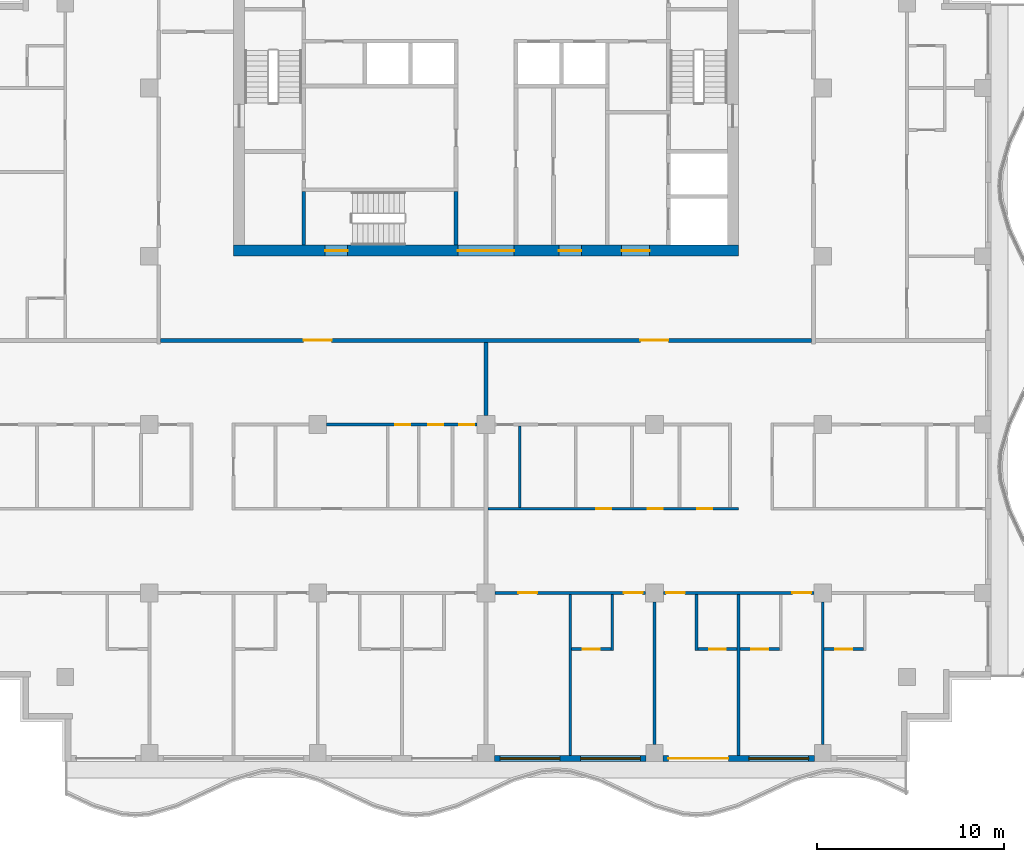
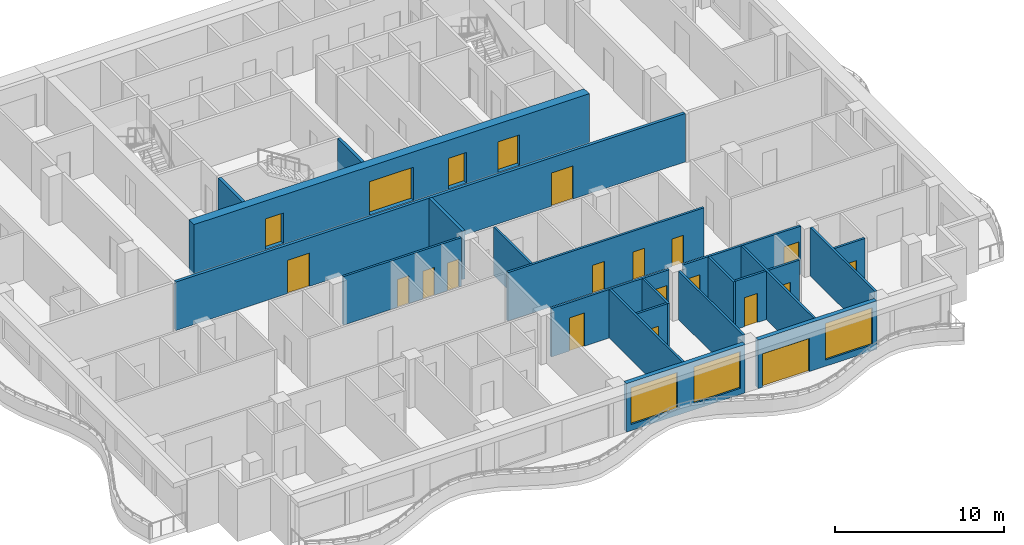
# One storey, part 3 of 11: 22 walls, 21 doors, 3 windows, 24 openings.
"""IFC4 building model written with IfcOpenShell, lengths in metres."""

import ifcopenshell
import ifcopenshell.guid

model = None  # the IFC model being written
_history = None  # IfcOwnerHistory: only IFC2X3 demands one
_inside = {}  # id of a spatial element -> (the spatial element, [elements in it])
_under = {}  # id of a project, library or spatial element -> (it, [spatial elements below it])
_declared = {}  # id of a project -> (the project, [libraries it declares])
_typed = {}  # id of a type object -> (the type object, [elements of that type])
_made_of = {}  # id of a material, layer set ... -> (it, [elements and type objects made of it])


def new_model(schema):
    """Start an empty IFC model of exactly this schema.

    Asked for "IFC4X3", IfcOpenShell would pick the latest addendum, in which some entities
    have other attributes; the version numbers below select the first issue.
    IFC2X3 requires an IfcOwnerHistory on every rooted entity: one is made here for all.
    """
    global model, _history
    if schema == "IFC4X3":
        model = ifcopenshell.file(schema_version=(4, 3, 0, 0))
    else:
        model = ifcopenshell.file(schema=schema)
    _inside.clear()
    _under.clear()
    _declared.clear()
    _typed.clear()
    _made_of.clear()
    _history = None
    if model.schema == "IFC2X3":
        org = make("IfcOrganization", Name="unknown")
        user = make(
            "IfcPersonAndOrganization",
            ThePerson=make("IfcPerson", FamilyName="unknown"),
            TheOrganization=org,
        )
        app = make(
            "IfcApplication",
            ApplicationDeveloper=org,
            Version="unknown",
            ApplicationFullName="unknown",
            ApplicationIdentifier="unknown",
        )
        _history = make(
            "IfcOwnerHistory",
            OwningUser=user,
            OwningApplication=app,
            ChangeAction="ADDED",
            CreationDate=0,
        )
    return model


def make(cls, **values):
    """One entity of the class cls with the attributes given. An attribute that is None is left unset."""
    return model.create_entity(
        cls, **{name: value for name, value in values.items() if value is not None}
    )


def rooted(cls, **values):
    """An entity with a GlobalId (a new one), such as an element, a storey or a relation."""
    return make(cls, GlobalId=ifcopenshell.guid.new(), OwnerHistory=_history, **values)


def si_unit(unit_type, name, prefix=None):
    """IfcSIUnit, for example si_unit("LENGTHUNIT", "METRE", prefix="MILLI")."""
    return make("IfcSIUnit", UnitType=unit_type, Prefix=prefix, Name=name)


def assignment(units):
    """IfcUnitAssignment: the units of a project."""
    return None if units is None else make("IfcUnitAssignment", Units=units)


def point(xyz):
    """IfcCartesianPoint."""
    return None if xyz is None else make("IfcCartesianPoint", Coordinates=xyz)


def direction(xyz):
    """IfcDirection."""
    return None if xyz is None else make("IfcDirection", DirectionRatios=xyz)


def frame(location, z_axis=None, x_axis=None):
    """IfcAxis2Placement3D, a coordinate frame: its origin and axes. An axis left out is left unset."""
    return make(
        "IfcAxis2Placement3D",
        Location=point(location),
        Axis=direction(z_axis),
        RefDirection=direction(x_axis),
    )


def frame_2d(location, x_axis=None):
    """IfcAxis2Placement2D, a coordinate frame in the plane: its origin and x axis."""
    return make(
        "IfcAxis2Placement2D", Location=point(location), RefDirection=direction(x_axis)
    )


def origin():
    """The frame at (0, 0, 0) with its axes left unset."""
    return frame((0.0, 0.0, 0.0))


def place(relative_to, where):
    """IfcLocalPlacement: puts the frame where relative to a parent placement (None: the world)."""
    return make(
        "IfcLocalPlacement", PlacementRelTo=relative_to, RelativePlacement=where
    )


def context(
    kind, dimensions, precision=None, world=None, true_north=None, identifier=None
):
    """IfcGeometricRepresentationContext, for example the 3D "Model" context."""
    return make(
        "IfcGeometricRepresentationContext",
        ContextIdentifier=identifier,
        ContextType=kind,
        CoordinateSpaceDimension=dimensions,
        Precision=precision,
        WorldCoordinateSystem=world,
        TrueNorth=true_north,
    )


def subcontext(parent, identifier, kind, view, scale=None):
    """IfcGeometricRepresentationSubContext, for example "Body" below "Model"."""
    return make(
        "IfcGeometricRepresentationSubContext",
        ContextIdentifier=identifier,
        ContextType=kind,
        ParentContext=parent,
        TargetScale=scale,
        TargetView=view,
    )


def project(units=None, contexts=None):
    """IfcProject with its units and contexts."""
    return rooted(
        "IfcProject",
        Name="project",
        RepresentationContexts=contexts,
        UnitsInContext=assignment(units),
    )


def spatial(cls, under=None, at=None, **own):
    """A site, building, storey or space (cls), placed at a placement, below another one or the project."""
    s = rooted(cls, ObjectPlacement=at, **own)
    if under is not None:
        _under.setdefault(under.id(), (under, []))[1].append(s)
    return s


def profile(cls, at=None, kind="AREA", **sizes):
    """A parametric profile (cls). Its sizes go by their IFC names, for example OverallWidth=200.0."""
    return make(cls, ProfileType=kind, Position=at, **sizes)


def rectangle(**sizes):
    """IfcRectangleProfileDef."""
    return profile("IfcRectangleProfileDef", **sizes)


def extrude(swept, where, along, depth):
    """IfcExtrudedAreaSolid: the profile swept, set in the frame where, extruded along a direction by depth."""
    return make(
        "IfcExtrudedAreaSolid",
        SweptArea=swept,
        Position=where,
        ExtrudedDirection=direction(along),
        Depth=depth,
    )


def shape(context_of_items, identifier, shape_type, items):
    """IfcShapeRepresentation: the items that make up one representation, for example the "Body"."""
    return make(
        "IfcShapeRepresentation",
        ContextOfItems=context_of_items,
        RepresentationIdentifier=identifier,
        RepresentationType=shape_type,
        Items=items,
    )


def material(Name=None, Category=None):
    """IfcMaterial."""
    return make("IfcMaterial", Name=Name, Category=Category)


def layer(
    of_material, thickness, ventilated=None, Name=None, Category=None, Priority=None
):
    """IfcMaterialLayer: one layer of a wall or slab, of a material (None: an air gap)."""
    return make(
        "IfcMaterialLayer",
        Material=of_material,
        LayerThickness=thickness,
        IsVentilated=ventilated,
        Name=Name,
        Category=Category,
        Priority=Priority,
    )


def layer_set(layers, Name=None):
    """IfcMaterialLayerSet."""
    return make("IfcMaterialLayerSet", MaterialLayers=layers, LayerSetName=Name)


def made_of(thing, what):
    """Note that an element or type object is made of a material, layer set ...; save() writes the relation."""
    if what is not None:
        _made_of.setdefault(what.id(), (what, []))[1].append(thing)
    return thing


def type_object(cls, material=None, **own):
    """A type object (cls), such as IfcWallType, which elements share."""
    return made_of(rooted(cls, **own), material)


def element(
    cls,
    number,
    at=None,
    inside=None,
    cuts=None,
    type_object=None,
    material=None,
    context=None,
    identifier="Body",
    shape_type=None,
    held_by="IfcProductDefinitionShape",
    body=None,
    shapes=None,
    **own,
):
    """One element of the class cls, such as IfcWall. Its Tag is "e" and its number.

    at: its placement. inside: the storey or other place that contains it. cuts: it is an
    opening in that element (IfcRelVoidsElement). A single representation is given by context,
    identifier, shape_type and body (its items); several are given by shapes. held_by: the class
    of the entity that holds the representations. save() writes the other relations.
    """
    e = rooted(cls, Tag="e%d" % number, ObjectPlacement=at, **own)
    if body is not None:
        shapes = [shape(context, identifier, shape_type, body)]
    if shapes is not None:
        e.Representation = make(held_by, Representations=shapes)
    if inside is not None:
        _inside.setdefault(inside.id(), (inside, []))[1].append(e)
    if cuts is not None:
        rooted(
            "IfcRelVoidsElement", RelatingBuildingElement=cuts, RelatedOpeningElement=e
        )
    if type_object is not None:
        _typed.setdefault(type_object.id(), (type_object, []))[1].append(e)
    return made_of(e, material)


def fill(opening, filler):
    """IfcRelFillsElement: the door or window that sits in an opening."""
    return rooted(
        "IfcRelFillsElement",
        RelatingOpeningElement=opening,
        RelatedBuildingElement=filler,
    )


def aggregate(whole, parts):
    """IfcRelAggregates: a whole, such as a stair, and the parts it consists of."""
    return rooted("IfcRelAggregates", RelatingObject=whole, RelatedObjects=parts)


def save(model, path):
    """Write the relations noted so far, then the file.

    IfcRelAggregates (storeys below a building ...), IfcRelContainedInSpatialStructure (elements
    in a storey), IfcRelDefinesByType, IfcRelAssociatesMaterial and IfcRelDeclares: one each for
    every whole, place, type object, material and project.
    """
    for whole, parts in _under.values():
        aggregate(whole, parts)
    for where, things in _inside.values():
        rooted(
            "IfcRelContainedInSpatialStructure",
            RelatedElements=things,
            RelatingStructure=where,
        )
    for kind, things in _typed.values():
        rooted("IfcRelDefinesByType", RelatedObjects=things, RelatingType=kind)
    for what, things in _made_of.values():
        rooted("IfcRelAssociatesMaterial", RelatedObjects=things, RelatingMaterial=what)
    for by, libraries in _declared.values():
        rooted("IfcRelDeclares", RelatingContext=by, RelatedDefinitions=libraries)
    model.write(path)


model = new_model("IFC4")

# Units and contexts
model_context = context("Model", 3, precision=1e-05, world=origin(), true_north=direction((0.0, 1.0)))
body_context = subcontext(model_context, "Body", "Model", "MODEL_VIEW")
ifc_project = project(units=[si_unit("LENGTHUNIT", "METRE"), si_unit("AREAUNIT", "SQUARE_METRE"), si_unit("VOLUMEUNIT", "CUBIC_METRE"), si_unit("PLANEANGLEUNIT", "RADIAN"), si_unit("MASSUNIT", "GRAM", prefix="KILO")], contexts=[model_context])

# Site, building, storey
site_placement = place(None, origin())
site = spatial("IfcSite", under=ifc_project, at=site_placement, CompositionType="ELEMENT")
building_placement = place(site_placement, origin())
building = spatial("IfcBuilding", under=site, at=building_placement, Name="Orbiselva Terraces", CompositionType="ELEMENT")
storey_placement = place(building_placement, frame((0.0, 0.0, 273.0)))
storey = spatial("IfcBuildingStorey", under=building, at=storey_placement, Name="L69", CompositionType="ELEMENT", Elevation=273.0)

# Wall, openings, doors
ifc_material_1 = material(Name="Concrete C80/95", Category="concrete")
ifc_layer_1 = layer(ifc_material_1, 0.6)
ifc_layer_set_1 = layer_set([ifc_layer_1], Name="Concrete C80/95")
wall_type_1 = type_object("IfcWallType", Name="CORE WALL 600", PredefinedType="SHEAR", material=ifc_layer_set_1)
wall_1_placement = place(storey_placement, frame((-13.5, 4.8, -0.3), z_axis=(0.0, 0.0, 1.0), x_axis=(1.0, 0.0, 0.0)))
wall_1 = element("IfcWall", 1, at=wall_1_placement, inside=storey, type_object=wall_type_1, Name="Core wall L69 south", PredefinedType="SHEAR", context=body_context, shape_type="SweptSolid", body=[
    extrude(rectangle(XDim=27.0, YDim=0.6, at=frame_2d((13.5, 0.0))), origin(), (0.0, 0.0, 1.0), 3.8),
])
opening_1_placement = place(wall_1_placement, frame((12.0, 0.0, 0.3)))
opening_1 = element("IfcOpeningElement", 2, at=opening_1_placement, cuts=wall_1, Name="Opening DL3000", PredefinedType="OPENING", context=body_context, shape_type="SweptSolid", body=[
    extrude(rectangle(XDim=3.0, YDim=2.4, at=frame_2d((1.5, 1.2))), frame((0.0, 0.31, 0.0), z_axis=(0.0, -1.0, 0.0), x_axis=(1.0, 0.0, 0.0)), (0.0, 0.0, 1.0), 0.62),
])
opening_2_placement = place(wall_1_placement, frame((4.9, 0.0, 0.3)))
opening_2 = element("IfcOpeningElement", 3, at=opening_2_placement, cuts=wall_1, Name="Opening DS1200", PredefinedType="OPENING", context=body_context, shape_type="SweptSolid", body=[
    extrude(rectangle(XDim=1.2, YDim=2.2, at=frame_2d((0.6, 1.1))), frame((0.0, 0.31, 0.0), z_axis=(0.0, -1.0, 0.0), x_axis=(1.0, 0.0, 0.0)), (0.0, 0.0, 1.0), 0.62),
])
opening_3_placement = place(wall_1_placement, frame((20.75, 0.0, 0.3)))
opening_3 = element("IfcOpeningElement", 4, at=opening_3_placement, cuts=wall_1, Name="Opening DF1500", PredefinedType="OPENING", context=body_context, shape_type="SweptSolid", body=[
    extrude(rectangle(XDim=1.5, YDim=2.2, at=frame_2d((0.75, 1.1))), frame((0.0, 0.31, 0.0), z_axis=(0.0, -1.0, 0.0), x_axis=(1.0, 0.0, 0.0)), (0.0, 0.0, 1.0), 0.62),
])
opening_4_placement = place(wall_1_placement, frame((17.4, 0.0, 0.3)))
opening_4 = element("IfcOpeningElement", 5, at=opening_4_placement, cuts=wall_1, Name="Opening DV1200", PredefinedType="OPENING", context=body_context, shape_type="SweptSolid", body=[
    extrude(rectangle(XDim=1.2, YDim=2.2, at=frame_2d((0.6, 1.1))), frame((0.0, 0.31, 0.0), z_axis=(0.0, -1.0, 0.0), x_axis=(1.0, 0.0, 0.0)), (0.0, 0.0, 1.0), 0.62),
])
ifc_material_2 = material(Name="Steel fire door", Category="steel")
door_type_1 = type_object("IfcDoorType", Name="FFL DOOR 1500", OperationType="DOUBLE_DOOR_SINGLE_SWING", PredefinedType="DOOR", material=ifc_material_2)
door_1_placement = place(opening_3_placement, frame((1.5, 0.0, 0.0), z_axis=(0.0, 0.0, 1.0), x_axis=(-1.0, 0.0, 0.0)))
door_1 = element("IfcDoor", 6, at=door_1_placement, inside=storey, type_object=door_type_1, Name="L69 FIRE-FIGHTING LOBBY door", OperationType="DOUBLE_DOOR_SINGLE_SWING", OverallHeight=2.2, OverallWidth=1.5, PredefinedType="DOOR", context=body_context, shape_type="SweptSolid", body=[
    extrude(rectangle(XDim=1.5, YDim=2.2, at=frame_2d((0.75, 1.1))), frame((0.0, 0.025, 0.0), z_axis=(0.0, -1.0, 0.0), x_axis=(1.0, 0.0, 0.0)), (0.0, 0.0, 1.0), 0.05),
])
fill(opening_3, door_1)
door_type_2 = type_object("IfcDoorType", Name="LOBBY DOOR 3000", OperationType="DOUBLE_DOOR_SINGLE_SWING", PredefinedType="DOOR", material=ifc_material_2)
door_2_placement = place(opening_1_placement, frame((3.0, 0.0, 0.0), z_axis=(0.0, 0.0, 1.0), x_axis=(-1.0, 0.0, 0.0)))
door_2 = element("IfcDoor", 7, at=door_2_placement, inside=storey, type_object=door_type_2, Name="L69 LIFT LOBBY door", OperationType="DOUBLE_DOOR_SINGLE_SWING", OverallHeight=2.4, OverallWidth=3.0, PredefinedType="DOOR", context=body_context, shape_type="SweptSolid", body=[
    extrude(rectangle(XDim=3.0, YDim=2.4, at=frame_2d((1.5, 1.2))), frame((0.0, 0.025, 0.0), z_axis=(0.0, -1.0, 0.0), x_axis=(1.0, 0.0, 0.0)), (0.0, 0.0, 1.0), 0.05),
])
fill(opening_1, door_2)
door_type_3 = type_object("IfcDoorType", Name="SERVICE DOOR 1200", OperationType="NOTDEFINED", PredefinedType="DOOR", material=ifc_material_2)
door_3_placement = place(opening_4_placement, frame((1.2, 0.0, 0.0), z_axis=(0.0, 0.0, 1.0), x_axis=(-1.0, 0.0, 0.0)))
door_3 = element("IfcDoor", 8, at=door_3_placement, inside=storey, type_object=door_type_3, Name="L69 SERVICE ROOM door", OperationType="SINGLE_SWING_RIGHT", OverallHeight=2.2, OverallWidth=1.2, PredefinedType="DOOR", context=body_context, shape_type="SweptSolid", body=[
    extrude(rectangle(XDim=1.2, YDim=2.2, at=frame_2d((0.6, 1.1))), frame((0.0, 0.025, 0.0), z_axis=(0.0, -1.0, 0.0), x_axis=(1.0, 0.0, 0.0)), (0.0, 0.0, 1.0), 0.05),
])
fill(opening_4, door_3)
door_type_4 = type_object("IfcDoorType", Name="STAIR DOOR 1200", OperationType="NOTDEFINED", PredefinedType="DOOR", material=ifc_material_2)
door_4_placement = place(opening_2_placement, frame((1.2, 0.0, 0.0), z_axis=(0.0, 0.0, 1.0), x_axis=(-1.0, 0.0, 0.0)))
door_4 = element("IfcDoor", 9, at=door_4_placement, inside=storey, type_object=door_type_4, Name="L69 EXIT STAIR S3 door", OperationType="SINGLE_SWING_LEFT", OverallHeight=2.2, OverallWidth=1.2, PredefinedType="DOOR", context=body_context, shape_type="SweptSolid", body=[
    extrude(rectangle(XDim=1.2, YDim=2.2, at=frame_2d((0.6, 1.1))), frame((0.0, 0.025, 0.0), z_axis=(0.0, -1.0, 0.0), x_axis=(1.0, 0.0, 0.0)), (0.0, 0.0, 1.0), 0.05),
])
fill(opening_2, door_4)

# Walls
ifc_material_3 = material(Name="Concrete C60/75", Category="concrete")
ifc_layer_2 = layer(ifc_material_3, 0.2)
ifc_layer_set_2 = layer_set([ifc_layer_2], Name="Concrete C60/75")
wall_type_2 = type_object("IfcWallType", Name="CORE-WALL-SHEAR-200", PredefinedType="SHEAR", material=ifc_layer_set_2)
for number, where, z_axis, x_axis, name in (
    (10, (-9.75, 5.1, 0.0), (0.0, 0.0, 1.0), (0.0, 1.0, 0.0), "L69 core wall 03"),
    (11, (-1.6, 5.1, 0.0), (0.0, 0.0, 1.0), (0.0, 1.0, 0.0), "L69 core wall 18"),
):
    element("IfcWall", number, at=place(storey_placement, frame(where, z_axis=z_axis, x_axis=x_axis)), inside=storey, type_object=wall_type_2, Name=name, PredefinedType="SHEAR", context=body_context, shape_type="SweptSolid", body=[
        extrude(rectangle(XDim=2.85, YDim=0.2, at=frame_2d((1.425, 0.0))), origin(), (0.0, 0.0, 1.0), 3.5),
    ])

# Wall, openings, windows
ifc_material_4 = material(Name="Terracotta cladding on masonry backing", Category="masonry")
ifc_layer_3 = layer(ifc_material_4, 0.3)
ifc_layer_set_3 = layer_set([ifc_layer_3], Name="Terracotta cladding on masonry backing")
wall_type_3 = type_object("IfcWallType", Name="ENV-WALL-TERRACOTTA-300", PredefinedType="SOLIDWALL", material=ifc_layer_set_3)
wall_2_placement = place(storey_placement, frame((8.55, -22.35, 0.0), z_axis=(0.0, 0.0, 1.0), x_axis=(-1.0, 0.0, 0.0)))
wall_2 = element("IfcWall", 12, at=wall_2_placement, inside=storey, type_object=wall_type_3, Name="Facade wall L69 S", PredefinedType="SOLIDWALL", context=body_context, shape_type="SweptSolid", body=[
    extrude(rectangle(XDim=8.1, YDim=0.3, at=frame_2d((4.05, 0.0))), origin(), (0.0, 0.0, 1.0), 3.5),
])
opening_5_placement = place(wall_2_placement, frame((4.6, 0.0, 0.45)))
opening_5 = element("IfcOpeningElement", 13, at=opening_5_placement, cuts=wall_2, Name="Opening WN17", PredefinedType="OPENING", context=body_context, shape_type="SweptSolid", body=[
    extrude(rectangle(XDim=3.2, YDim=2.65, at=frame_2d((1.6, 1.325))), frame((0.0, 0.16, 0.0), z_axis=(0.0, -1.0, 0.0), x_axis=(1.0, 0.0, 0.0)), (0.0, 0.0, 1.0), 0.32),
])
opening_6_placement = place(wall_2_placement, frame((0.3, 0.0, 0.45)))
opening_6 = element("IfcOpeningElement", 14, at=opening_6_placement, cuts=wall_2, Name="Opening WN17", PredefinedType="OPENING", context=body_context, shape_type="SweptSolid", body=[
    extrude(rectangle(XDim=3.2, YDim=2.65, at=frame_2d((1.6, 1.325))), frame((0.0, 0.16, 0.0), z_axis=(0.0, -1.0, 0.0), x_axis=(1.0, 0.0, 0.0)), (0.0, 0.0, 1.0), 0.32),
])
ifc_material_5 = material(Name="Clear low-e glazing in aluminium frame", Category="aluminium")
window_type = type_object("IfcWindowType", Name="WINDOW 3200 X 2650 S450", PartitioningType="TRIPLE_PANEL_VERTICAL", PredefinedType="WINDOW", material=ifc_material_5)
window_1_placement = place(opening_5_placement, origin())
window_1 = element("IfcWindow", 15, at=window_1_placement, inside=storey, type_object=window_type, Name="Window L69 S", OverallHeight=2.65, OverallWidth=3.2, PartitioningType="SINGLE_PANEL", PredefinedType="WINDOW", context=body_context, shape_type="SweptSolid", body=[
    extrude(rectangle(XDim=3.2, YDim=2.65, at=frame_2d((1.6, 1.325))), frame((0.0, 0.03, 0.0), z_axis=(0.0, -1.0, 0.0), x_axis=(1.0, 0.0, 0.0)), (0.0, 0.0, 1.0), 0.06),
])
fill(opening_5, window_1)
window_2_placement = place(opening_6_placement, origin())
window_2 = element("IfcWindow", 16, at=window_2_placement, inside=storey, type_object=window_type, Name="Window L69 S", OverallHeight=2.65, OverallWidth=3.2, PartitioningType="SINGLE_PANEL", PredefinedType="WINDOW", context=body_context, shape_type="SweptSolid", body=[
    extrude(rectangle(XDim=3.2, YDim=2.65, at=frame_2d((1.6, 1.325))), frame((0.0, 0.03, 0.0), z_axis=(0.0, -1.0, 0.0), x_axis=(1.0, 0.0, 0.0)), (0.0, 0.0, 1.0), 0.06),
])
fill(opening_6, window_2)

# Wall, openings, door, window
wall_3_placement = place(storey_placement, frame((17.55, -22.35, 0.0), z_axis=(0.0, 0.0, 1.0), x_axis=(-1.0, 0.0, 0.0)))
wall_3 = element("IfcWall", 17, at=wall_3_placement, inside=storey, type_object=wall_type_3, Name="Facade wall L69 S", PredefinedType="SOLIDWALL", context=body_context, shape_type="SweptSolid", body=[
    extrude(rectangle(XDim=8.1, YDim=0.3, at=frame_2d((4.05, 0.0))), origin(), (0.0, 0.0, 1.0), 3.5),
])
opening_7_placement = place(wall_3_placement, frame((4.6, 0.0, 0.0)))
opening_7 = element("IfcOpeningElement", 18, at=opening_7_placement, cuts=wall_3, Name="Opening Z5-D-E03", PredefinedType="OPENING", context=body_context, shape_type="SweptSolid", body=[
    extrude(rectangle(XDim=3.2, YDim=2.4, at=frame_2d((1.6, 1.2))), frame((0.0, 0.16, 0.0), z_axis=(0.0, -1.0, 0.0), x_axis=(1.0, 0.0, 0.0)), (0.0, 0.0, 1.0), 0.32),
])
opening_8_placement = place(wall_3_placement, frame((0.3, 0.0, 0.45)))
opening_8 = element("IfcOpeningElement", 19, at=opening_8_placement, cuts=wall_3, Name="Opening WN17", PredefinedType="OPENING", context=body_context, shape_type="SweptSolid", body=[
    extrude(rectangle(XDim=3.2, YDim=2.65, at=frame_2d((1.6, 1.325))), frame((0.0, 0.16, 0.0), z_axis=(0.0, -1.0, 0.0), x_axis=(1.0, 0.0, 0.0)), (0.0, 0.0, 1.0), 0.32),
])
door_type_5 = type_object("IfcDoorType", Name="BALCONY DOOR 3200 X 2400", OperationType="DOUBLE_DOOR_SLIDING", PredefinedType="DOOR", material=ifc_material_5)
door_5_placement = place(opening_7_placement, origin())
door_5 = element("IfcDoor", 20, at=door_5_placement, inside=storey, type_object=door_type_5, Name="Z5-D-E03", OperationType="SINGLE_SWING_LEFT", OverallHeight=2.4, OverallWidth=3.2, PredefinedType="DOOR", context=body_context, shape_type="SweptSolid", body=[
    extrude(rectangle(XDim=3.2, YDim=2.4, at=frame_2d((1.6, 1.2))), frame((0.0, 0.025, 0.0), z_axis=(0.0, -1.0, 0.0), x_axis=(1.0, 0.0, 0.0)), (0.0, 0.0, 1.0), 0.05),
])
fill(opening_7, door_5)
window_3_placement = place(opening_8_placement, origin())
window_3 = element("IfcWindow", 21, at=window_3_placement, inside=storey, type_object=window_type, Name="Window L69 S", OverallHeight=2.65, OverallWidth=3.2, PartitioningType="SINGLE_PANEL", PredefinedType="WINDOW", context=body_context, shape_type="SweptSolid", body=[
    extrude(rectangle(XDim=3.2, YDim=2.65, at=frame_2d((1.6, 1.325))), frame((0.0, 0.03, 0.0), z_axis=(0.0, -1.0, 0.0), x_axis=(1.0, 0.0, 0.0)), (0.0, 0.0, 1.0), 0.06),
])
fill(opening_8, window_3)

# Wall, openings, doors
ifc_material_6 = material(Name="Plasterboard on steel stud partition", Category="steel")
ifc_layer_4 = layer(ifc_material_6, 0.2)
ifc_layer_set_4 = layer_set([ifc_layer_4], Name="Plasterboard on steel stud partition")
wall_type_4 = type_object("IfcWallType", Name="UNIT-ENTRANCE-WALL-200", PredefinedType="PARTITIONING", material=ifc_layer_set_4)
wall_4_placement = place(storey_placement, frame((17.4, 0.0, 0.0), z_axis=(0.0, 0.0, 1.0), x_axis=(-1.0, 0.0, 0.0)))
wall_4 = element("IfcWall", 22, at=wall_4_placement, inside=storey, type_object=wall_type_4, Name="PARTITION L69-027", PredefinedType="PARTITIONING", context=body_context, shape_type="SweptSolid", body=[
    extrude(rectangle(XDim=34.8, YDim=0.2, at=frame_2d((17.4, 0.0))), origin(), (0.0, 0.0, 1.0), 3.5),
])
opening_9_placement = place(wall_4_placement, frame((25.65, 0.0, 0.0)))
opening_9 = element("IfcOpeningElement", 23, at=opening_9_placement, cuts=wall_4, Name="Opening Z5-D-15", PredefinedType="OPENING", context=body_context, shape_type="SweptSolid", body=[
    extrude(rectangle(XDim=1.5, YDim=2.4, at=frame_2d((0.75, 1.2))), frame((0.0, 0.11, 0.0), z_axis=(0.0, -1.0, 0.0), x_axis=(1.0, 0.0, 0.0)), (0.0, 0.0, 1.0), 0.22),
])
opening_10_placement = place(wall_4_placement, frame((7.65, 0.0, 0.0)))
opening_10 = element("IfcOpeningElement", 24, at=opening_10_placement, cuts=wall_4, Name="Opening Z5-D-34", PredefinedType="OPENING", context=body_context, shape_type="SweptSolid", body=[
    extrude(rectangle(XDim=1.5, YDim=2.4, at=frame_2d((0.75, 1.2))), frame((0.0, 0.11, 0.0), z_axis=(0.0, -1.0, 0.0), x_axis=(1.0, 0.0, 0.0)), (0.0, 0.0, 1.0), 0.22),
])
ifc_material_7 = material(Name="Painted timber door leaf", Category="wood")
door_type_6 = type_object("IfcDoorType", Name="ENTRANCE DOUBLE DOOR 1500", OperationType="NOTDEFINED", PredefinedType="DOOR", material=ifc_material_7)
door_6_placement = place(opening_9_placement, origin())
door_6 = element("IfcDoor", 25, at=door_6_placement, inside=storey, type_object=door_type_6, Name="Z5-D-15", OperationType="DOUBLE_DOOR_SINGLE_SWING", OverallHeight=2.4, OverallWidth=1.5, PredefinedType="DOOR", context=body_context, shape_type="SweptSolid", body=[
    extrude(rectangle(XDim=1.5, YDim=2.4, at=frame_2d((0.75, 1.2))), frame((0.0, 0.025, 0.0), z_axis=(0.0, -1.0, 0.0), x_axis=(1.0, 0.0, 0.0)), (0.0, 0.0, 1.0), 0.05),
])
fill(opening_9, door_6)
door_7_placement = place(opening_10_placement, origin())
door_7 = element("IfcDoor", 26, at=door_7_placement, inside=storey, type_object=door_type_6, Name="Z5-D-34", OperationType="DOUBLE_DOOR_SINGLE_SWING", OverallHeight=2.4, OverallWidth=1.5, PredefinedType="DOOR", context=body_context, shape_type="SweptSolid", body=[
    extrude(rectangle(XDim=1.5, YDim=2.4, at=frame_2d((0.75, 1.2))), frame((0.0, 0.025, 0.0), z_axis=(0.0, -1.0, 0.0), x_axis=(1.0, 0.0, 0.0)), (0.0, 0.0, 1.0), 0.05),
])
fill(opening_10, door_7)

# Wall, opening, door
ifc_layer_5 = layer(ifc_material_6, 0.15)
ifc_layer_set_5 = layer_set([ifc_layer_5], Name="Plasterboard on steel stud partition")
wall_type_5 = type_object("IfcWallType", Name="UNIT-PARTITION-150", PredefinedType="PARTITIONING", material=ifc_layer_set_5)
wall_5_placement = place(storey_placement, frame((4.575, -16.5, 0.0), z_axis=(0.0, 0.0, 1.0), x_axis=(1.0, 0.0, 0.0)))
wall_5 = element("IfcWall", 27, at=wall_5_placement, inside=storey, type_object=wall_type_5, Name="PARTITION L69-005", PredefinedType="PARTITIONING", context=body_context, shape_type="SweptSolid", body=[
    extrude(rectangle(XDim=2.1, YDim=0.15, at=frame_2d((1.05, 0.0))), origin(), (0.0, 0.0, 1.0), 3.5),
])
opening_11_placement = place(wall_5_placement, frame((0.6, 0.0, 0.0)))
opening_11 = element("IfcOpeningElement", 28, at=opening_11_placement, cuts=wall_5, Name="Opening Z5-D-51", PredefinedType="OPENING", context=body_context, shape_type="SweptSolid", body=[
    extrude(rectangle(XDim=0.9, YDim=2.1, at=frame_2d((0.45, 1.05))), frame((0.0, 0.085, 0.0), z_axis=(0.0, -1.0, 0.0), x_axis=(1.0, 0.0, 0.0)), (0.0, 0.0, 1.0), 0.17),
])
door_type_7 = type_object("IfcDoorType", Name="BATH DOOR 900", OperationType="NOTDEFINED", PredefinedType="DOOR", material=ifc_material_7)
door_8_placement = place(opening_11_placement, origin())
door_8 = element("IfcDoor", 29, at=door_8_placement, inside=storey, type_object=door_type_7, Name="Z5-D-51", OperationType="SINGLE_SWING_LEFT", OverallHeight=2.1, OverallWidth=0.9, PredefinedType="DOOR", context=body_context, shape_type="SweptSolid", body=[
    extrude(rectangle(XDim=0.9, YDim=2.1, at=frame_2d((0.45, 1.05))), frame((0.0, 0.025, 0.0), z_axis=(0.0, -1.0, 0.0), x_axis=(1.0, 0.0, 0.0)), (0.0, 0.0, 1.0), 0.05),
])
fill(opening_11, door_8)

wall_6_placement = place(storey_placement, frame((11.325, -16.5, 0.0), z_axis=(0.0, 0.0, 1.0), x_axis=(1.0, 0.0, 0.0)))
wall_6 = element("IfcWall", 30, at=wall_6_placement, inside=storey, type_object=wall_type_5, Name="PARTITION L69-006", PredefinedType="PARTITIONING", context=body_context, shape_type="SweptSolid", body=[
    extrude(rectangle(XDim=2.1, YDim=0.15, at=frame_2d((1.05, 0.0))), origin(), (0.0, 0.0, 1.0), 3.5),
])
opening_12_placement = place(wall_6_placement, frame((0.6, 0.0, 0.0)))
opening_12 = element("IfcOpeningElement", 31, at=opening_12_placement, cuts=wall_6, Name="Opening Z5-D-49", PredefinedType="OPENING", context=body_context, shape_type="SweptSolid", body=[
    extrude(rectangle(XDim=0.9, YDim=2.1, at=frame_2d((0.45, 1.05))), frame((0.0, 0.085, 0.0), z_axis=(0.0, -1.0, 0.0), x_axis=(1.0, 0.0, 0.0)), (0.0, 0.0, 1.0), 0.17),
])
door_9_placement = place(opening_12_placement, origin())
door_9 = element("IfcDoor", 32, at=door_9_placement, inside=storey, type_object=door_type_7, Name="Z5-D-49", OperationType="SINGLE_SWING_LEFT", OverallHeight=2.1, OverallWidth=0.9, PredefinedType="DOOR", context=body_context, shape_type="SweptSolid", body=[
    extrude(rectangle(XDim=0.9, YDim=2.1, at=frame_2d((0.45, 1.05))), frame((0.0, 0.025, 0.0), z_axis=(0.0, -1.0, 0.0), x_axis=(1.0, 0.0, 0.0)), (0.0, 0.0, 1.0), 0.05),
])
fill(opening_12, door_9)

wall_7_placement = place(storey_placement, frame((13.575, -16.5, 0.0), z_axis=(0.0, 0.0, 1.0), x_axis=(1.0, 0.0, 0.0)))
wall_7 = element("IfcWall", 33, at=wall_7_placement, inside=storey, type_object=wall_type_5, Name="PARTITION L69-007", PredefinedType="PARTITIONING", context=body_context, shape_type="SweptSolid", body=[
    extrude(rectangle(XDim=2.1, YDim=0.15, at=frame_2d((1.05, 0.0))), origin(), (0.0, 0.0, 1.0), 3.5),
])
opening_13_placement = place(wall_7_placement, frame((0.6, 0.0, 0.0)))
opening_13 = element("IfcOpeningElement", 34, at=opening_13_placement, cuts=wall_7, Name="Opening Z5-D-47", PredefinedType="OPENING", context=body_context, shape_type="SweptSolid", body=[
    extrude(rectangle(XDim=0.9, YDim=2.1, at=frame_2d((0.45, 1.05))), frame((0.0, 0.085, 0.0), z_axis=(0.0, -1.0, 0.0), x_axis=(1.0, 0.0, 0.0)), (0.0, 0.0, 1.0), 0.17),
])
door_10_placement = place(opening_13_placement, origin())
door_10 = element("IfcDoor", 35, at=door_10_placement, inside=storey, type_object=door_type_7, Name="Z5-D-47", OperationType="SINGLE_SWING_LEFT", OverallHeight=2.1, OverallWidth=0.9, PredefinedType="DOOR", context=body_context, shape_type="SweptSolid", body=[
    extrude(rectangle(XDim=0.9, YDim=2.1, at=frame_2d((0.45, 1.05))), frame((0.0, 0.025, 0.0), z_axis=(0.0, -1.0, 0.0), x_axis=(1.0, 0.0, 0.0)), (0.0, 0.0, 1.0), 0.05),
])
fill(opening_13, door_10)

wall_8_placement = place(storey_placement, frame((18.075, -16.5, 0.0), z_axis=(0.0, 0.0, 1.0), x_axis=(1.0, 0.0, 0.0)))
wall_8 = element("IfcWall", 36, at=wall_8_placement, inside=storey, type_object=wall_type_5, Name="PARTITION L69-008", PredefinedType="PARTITIONING", context=body_context, shape_type="SweptSolid", body=[
    extrude(rectangle(XDim=2.1, YDim=0.15, at=frame_2d((1.05, 0.0))), origin(), (0.0, 0.0, 1.0), 3.5),
])
opening_14_placement = place(wall_8_placement, frame((0.6, 0.0, 0.0)))
opening_14 = element("IfcOpeningElement", 37, at=opening_14_placement, cuts=wall_8, Name="Opening Z5-D-45", PredefinedType="OPENING", context=body_context, shape_type="SweptSolid", body=[
    extrude(rectangle(XDim=0.9, YDim=2.1, at=frame_2d((0.45, 1.05))), frame((0.0, 0.085, 0.0), z_axis=(0.0, -1.0, 0.0), x_axis=(1.0, 0.0, 0.0)), (0.0, 0.0, 1.0), 0.17),
])
door_11_placement = place(opening_14_placement, origin())
door_11 = element("IfcDoor", 38, at=door_11_placement, inside=storey, type_object=door_type_7, Name="Z5-D-45", OperationType="SINGLE_SWING_LEFT", OverallHeight=2.1, OverallWidth=0.9, PredefinedType="DOOR", context=body_context, shape_type="SweptSolid", body=[
    extrude(rectangle(XDim=0.9, YDim=2.1, at=frame_2d((0.45, 1.05))), frame((0.0, 0.025, 0.0), z_axis=(0.0, -1.0, 0.0), x_axis=(1.0, 0.0, 0.0)), (0.0, 0.0, 1.0), 0.05),
])
fill(opening_14, door_11)

# Wall, openings, doors
wall_9_placement = place(storey_placement, frame((8.525, -13.5, 0.0), z_axis=(0.0, 0.0, 1.0), x_axis=(-1.0, 0.0, 0.0)))
wall_9 = element("IfcWall", 39, at=wall_9_placement, inside=storey, type_object=wall_type_5, Name="PARTITION L69-012", PredefinedType="PARTITIONING", context=body_context, shape_type="SweptSolid", body=[
    extrude(rectangle(XDim=8.05, YDim=0.15, at=frame_2d((4.025, 0.0))), origin(), (0.0, 0.0, 1.0), 3.5),
])
opening_15_placement = place(wall_9_placement, frame((0.15, 0.0, 0.0)))
opening_15 = element("IfcOpeningElement", 40, at=opening_15_placement, cuts=wall_9, Name="Opening Z5-D-50", PredefinedType="OPENING", context=body_context, shape_type="SweptSolid", body=[
    extrude(rectangle(XDim=1.0, YDim=2.4, at=frame_2d((0.5, 1.2))), frame((0.0, 0.085, 0.0), z_axis=(0.0, -1.0, 0.0), x_axis=(1.0, 0.0, 0.0)), (0.0, 0.0, 1.0), 0.17),
])
opening_16_placement = place(wall_9_placement, frame((5.8, 0.0, 0.0)))
opening_16 = element("IfcOpeningElement", 41, at=opening_16_placement, cuts=wall_9, Name="Opening Z5-D-52", PredefinedType="OPENING", context=body_context, shape_type="SweptSolid", body=[
    extrude(rectangle(XDim=1.0, YDim=2.4, at=frame_2d((0.5, 1.2))), frame((0.0, 0.085, 0.0), z_axis=(0.0, -1.0, 0.0), x_axis=(1.0, 0.0, 0.0)), (0.0, 0.0, 1.0), 0.17),
])
door_type_8 = type_object("IfcDoorType", Name="ROOM DOOR 1000", OperationType="NOTDEFINED", PredefinedType="DOOR", material=ifc_material_7)
door_12_placement = place(opening_15_placement, origin())
door_12 = element("IfcDoor", 42, at=door_12_placement, inside=storey, type_object=door_type_8, Name="Z5-D-50", OperationType="SINGLE_SWING_LEFT", OverallHeight=2.4, OverallWidth=1.0, PredefinedType="DOOR", context=body_context, shape_type="SweptSolid", body=[
    extrude(rectangle(XDim=1.0, YDim=2.4, at=frame_2d((0.5, 1.2))), frame((0.0, 0.025, 0.0), z_axis=(0.0, -1.0, 0.0), x_axis=(1.0, 0.0, 0.0)), (0.0, 0.0, 1.0), 0.05),
])
fill(opening_15, door_12)
door_13_placement = place(opening_16_placement, origin())
door_13 = element("IfcDoor", 43, at=door_13_placement, inside=storey, type_object=door_type_8, Name="Z5-D-52", OperationType="SINGLE_SWING_RIGHT", OverallHeight=2.4, OverallWidth=1.0, PredefinedType="DOOR", context=body_context, shape_type="SweptSolid", body=[
    extrude(rectangle(XDim=1.0, YDim=2.4, at=frame_2d((0.5, 1.2))), frame((0.0, 0.025, 0.0), z_axis=(0.0, -1.0, 0.0), x_axis=(1.0, 0.0, 0.0)), (0.0, 0.0, 1.0), 0.05),
])
fill(opening_16, door_13)

wall_10_placement = place(storey_placement, frame((17.525, -13.5, 0.0), z_axis=(0.0, 0.0, 1.0), x_axis=(-1.0, 0.0, 0.0)))
wall_10 = element("IfcWall", 44, at=wall_10_placement, inside=storey, type_object=wall_type_5, Name="PARTITION L69-013", PredefinedType="PARTITIONING", context=body_context, shape_type="SweptSolid", body=[
    extrude(rectangle(XDim=8.05, YDim=0.15, at=frame_2d((4.025, 0.0))), origin(), (0.0, 0.0, 1.0), 3.5),
])
opening_17_placement = place(wall_10_placement, frame((0.15, 0.0, 0.0)))
opening_17 = element("IfcOpeningElement", 45, at=opening_17_placement, cuts=wall_10, Name="Opening Z5-D-46", PredefinedType="OPENING", context=body_context, shape_type="SweptSolid", body=[
    extrude(rectangle(XDim=1.0, YDim=2.4, at=frame_2d((0.5, 1.2))), frame((0.0, 0.085, 0.0), z_axis=(0.0, -1.0, 0.0), x_axis=(1.0, 0.0, 0.0)), (0.0, 0.0, 1.0), 0.17),
])
opening_18_placement = place(wall_10_placement, frame((6.9, 0.0, 0.0)))
opening_18 = element("IfcOpeningElement", 46, at=opening_18_placement, cuts=wall_10, Name="Opening Z5-D-48", PredefinedType="OPENING", context=body_context, shape_type="SweptSolid", body=[
    extrude(rectangle(XDim=1.0, YDim=2.4, at=frame_2d((0.5, 1.2))), frame((0.0, 0.085, 0.0), z_axis=(0.0, -1.0, 0.0), x_axis=(1.0, 0.0, 0.0)), (0.0, 0.0, 1.0), 0.17),
])
door_14_placement = place(opening_17_placement, origin())
door_14 = element("IfcDoor", 47, at=door_14_placement, inside=storey, type_object=door_type_8, Name="Z5-D-46", OperationType="SINGLE_SWING_LEFT", OverallHeight=2.4, OverallWidth=1.0, PredefinedType="DOOR", context=body_context, shape_type="SweptSolid", body=[
    extrude(rectangle(XDim=1.0, YDim=2.4, at=frame_2d((0.5, 1.2))), frame((0.0, 0.025, 0.0), z_axis=(0.0, -1.0, 0.0), x_axis=(1.0, 0.0, 0.0)), (0.0, 0.0, 1.0), 0.05),
])
fill(opening_17, door_14)
door_15_placement = place(opening_18_placement, origin())
door_15 = element("IfcDoor", 48, at=door_15_placement, inside=storey, type_object=door_type_8, Name="Z5-D-48", OperationType="SINGLE_SWING_RIGHT", OverallHeight=2.4, OverallWidth=1.0, PredefinedType="DOOR", context=body_context, shape_type="SweptSolid", body=[
    extrude(rectangle(XDim=1.0, YDim=2.4, at=frame_2d((0.5, 1.2))), frame((0.0, 0.025, 0.0), z_axis=(0.0, -1.0, 0.0), x_axis=(1.0, 0.0, 0.0)), (0.0, 0.0, 1.0), 0.05),
])
fill(opening_18, door_15)

wall_11_placement = place(storey_placement, frame((0.1, -9.0, 0.0), z_axis=(0.0, 0.0, 1.0), x_axis=(1.0, 0.0, 0.0)))
wall_11 = element("IfcWall", 49, at=wall_11_placement, inside=storey, type_object=wall_type_5, Name="PARTITION L69-017", PredefinedType="PARTITIONING", context=body_context, shape_type="SweptSolid", body=[
    extrude(rectangle(XDim=13.4, YDim=0.15, at=frame_2d((6.7, 0.0))), origin(), (0.0, 0.0, 1.0), 3.5),
])
opening_19_placement = place(wall_11_placement, frame((11.2, 0.0, 0.0)))
opening_19 = element("IfcOpeningElement", 50, at=opening_19_placement, cuts=wall_11, Name="Opening Z5-D-39", PredefinedType="OPENING", context=body_context, shape_type="SweptSolid", body=[
    extrude(rectangle(XDim=0.8, YDim=2.0, at=frame_2d((0.4, 1.0))), frame((0.0, 0.085, 0.0), z_axis=(0.0, -1.0, 0.0), x_axis=(1.0, 0.0, 0.0)), (0.0, 0.0, 1.0), 0.17),
])
opening_20_placement = place(wall_11_placement, frame((8.55, 0.0, 0.0)))
opening_20 = element("IfcOpeningElement", 51, at=opening_20_placement, cuts=wall_11, Name="Opening Z5-D-40", PredefinedType="OPENING", context=body_context, shape_type="SweptSolid", body=[
    extrude(rectangle(XDim=0.8, YDim=2.0, at=frame_2d((0.4, 1.0))), frame((0.0, 0.085, 0.0), z_axis=(0.0, -1.0, 0.0), x_axis=(1.0, 0.0, 0.0)), (0.0, 0.0, 1.0), 0.17),
])
opening_21_placement = place(wall_11_placement, frame((5.8, 0.0, 0.0)))
opening_21 = element("IfcOpeningElement", 52, at=opening_21_placement, cuts=wall_11, Name="Opening Z5-D-41", PredefinedType="OPENING", context=body_context, shape_type="SweptSolid", body=[
    extrude(rectangle(XDim=0.8, YDim=2.0, at=frame_2d((0.4, 1.0))), frame((0.0, 0.085, 0.0), z_axis=(0.0, -1.0, 0.0), x_axis=(1.0, 0.0, 0.0)), (0.0, 0.0, 1.0), 0.17),
])
door_type_9 = type_object("IfcDoorType", Name="STORE DOOR 800", OperationType="NOTDEFINED", PredefinedType="DOOR", material=ifc_material_7)
door_16_placement = place(opening_19_placement, origin())
door_16 = element("IfcDoor", 53, at=door_16_placement, inside=storey, type_object=door_type_9, Name="Z5-D-39", OperationType="SINGLE_SWING_RIGHT", OverallHeight=2.0, OverallWidth=0.8, PredefinedType="DOOR", context=body_context, shape_type="SweptSolid", body=[
    extrude(rectangle(XDim=0.8, YDim=2.0, at=frame_2d((0.4, 1.0))), frame((0.0, 0.025, 0.0), z_axis=(0.0, -1.0, 0.0), x_axis=(1.0, 0.0, 0.0)), (0.0, 0.0, 1.0), 0.05),
])
fill(opening_19, door_16)
door_17_placement = place(opening_20_placement, origin())
door_17 = element("IfcDoor", 54, at=door_17_placement, inside=storey, type_object=door_type_9, Name="Z5-D-40", OperationType="SINGLE_SWING_RIGHT", OverallHeight=2.0, OverallWidth=0.8, PredefinedType="DOOR", context=body_context, shape_type="SweptSolid", body=[
    extrude(rectangle(XDim=0.8, YDim=2.0, at=frame_2d((0.4, 1.0))), frame((0.0, 0.025, 0.0), z_axis=(0.0, -1.0, 0.0), x_axis=(1.0, 0.0, 0.0)), (0.0, 0.0, 1.0), 0.05),
])
fill(opening_20, door_17)
door_18_placement = place(opening_21_placement, origin())
door_18 = element("IfcDoor", 55, at=door_18_placement, inside=storey, type_object=door_type_9, Name="Z5-D-41", OperationType="SINGLE_SWING_LEFT", OverallHeight=2.0, OverallWidth=0.8, PredefinedType="DOOR", context=body_context, shape_type="SweptSolid", body=[
    extrude(rectangle(XDim=0.8, YDim=2.0, at=frame_2d((0.4, 1.0))), frame((0.0, 0.025, 0.0), z_axis=(0.0, -1.0, 0.0), x_axis=(1.0, 0.0, 0.0)), (0.0, 0.0, 1.0), 0.05),
])
fill(opening_21, door_18)

wall_12_placement = place(storey_placement, frame((-0.475, -4.5, 0.0), z_axis=(0.0, 0.0, 1.0), x_axis=(-1.0, 0.0, 0.0)))
wall_12 = element("IfcWall", 56, at=wall_12_placement, inside=storey, type_object=wall_type_5, Name="PARTITION L69-022", PredefinedType="PARTITIONING", context=body_context, shape_type="SweptSolid", body=[
    extrude(rectangle(XDim=8.05, YDim=0.15, at=frame_2d((4.025, 0.0))), origin(), (0.0, 0.0, 1.0), 3.5),
])
opening_22_placement = place(wall_12_placement, frame((0.15, 0.0, 0.0)))
opening_22 = element("IfcOpeningElement", 57, at=opening_22_placement, cuts=wall_12, Name="Opening Z5-D-16", PredefinedType="OPENING", context=body_context, shape_type="SweptSolid", body=[
    extrude(rectangle(XDim=0.8, YDim=2.0, at=frame_2d((0.4, 1.0))), frame((0.0, 0.085, 0.0), z_axis=(0.0, -1.0, 0.0), x_axis=(1.0, 0.0, 0.0)), (0.0, 0.0, 1.0), 0.17),
])
opening_23_placement = place(wall_12_placement, frame((1.825, 0.0, 0.0)))
opening_23 = element("IfcOpeningElement", 58, at=opening_23_placement, cuts=wall_12, Name="Opening Z5-D-17", PredefinedType="OPENING", context=body_context, shape_type="SweptSolid", body=[
    extrude(rectangle(XDim=0.8, YDim=2.0, at=frame_2d((0.4, 1.0))), frame((0.0, 0.085, 0.0), z_axis=(0.0, -1.0, 0.0), x_axis=(1.0, 0.0, 0.0)), (0.0, 0.0, 1.0), 0.17),
])
opening_24_placement = place(wall_12_placement, frame((3.575, 0.0, 0.0)))
opening_24 = element("IfcOpeningElement", 59, at=opening_24_placement, cuts=wall_12, Name="Opening Z5-D-18", PredefinedType="OPENING", context=body_context, shape_type="SweptSolid", body=[
    extrude(rectangle(XDim=0.8, YDim=2.0, at=frame_2d((0.4, 1.0))), frame((0.0, 0.085, 0.0), z_axis=(0.0, -1.0, 0.0), x_axis=(1.0, 0.0, 0.0)), (0.0, 0.0, 1.0), 0.17),
])
door_19_placement = place(opening_22_placement, origin())
door_19 = element("IfcDoor", 60, at=door_19_placement, inside=storey, type_object=door_type_9, Name="Z5-D-16", OperationType="SINGLE_SWING_LEFT", OverallHeight=2.0, OverallWidth=0.8, PredefinedType="DOOR", context=body_context, shape_type="SweptSolid", body=[
    extrude(rectangle(XDim=0.8, YDim=2.0, at=frame_2d((0.4, 1.0))), frame((0.0, 0.025, 0.0), z_axis=(0.0, -1.0, 0.0), x_axis=(1.0, 0.0, 0.0)), (0.0, 0.0, 1.0), 0.05),
])
fill(opening_22, door_19)
door_20_placement = place(opening_23_placement, origin())
door_20 = element("IfcDoor", 61, at=door_20_placement, inside=storey, type_object=door_type_9, Name="Z5-D-17", OperationType="SINGLE_SWING_LEFT", OverallHeight=2.0, OverallWidth=0.8, PredefinedType="DOOR", context=body_context, shape_type="SweptSolid", body=[
    extrude(rectangle(XDim=0.8, YDim=2.0, at=frame_2d((0.4, 1.0))), frame((0.0, 0.025, 0.0), z_axis=(0.0, -1.0, 0.0), x_axis=(1.0, 0.0, 0.0)), (0.0, 0.0, 1.0), 0.05),
])
fill(opening_23, door_20)
door_21_placement = place(opening_24_placement, origin())
door_21 = element("IfcDoor", 62, at=door_21_placement, inside=storey, type_object=door_type_9, Name="Z5-D-18", OperationType="SINGLE_SWING_LEFT", OverallHeight=2.0, OverallWidth=0.8, PredefinedType="DOOR", context=body_context, shape_type="SweptSolid", body=[
    extrude(rectangle(XDim=0.8, YDim=2.0, at=frame_2d((0.4, 1.0))), frame((0.0, 0.025, 0.0), z_axis=(0.0, -1.0, 0.0), x_axis=(1.0, 0.0, 0.0)), (0.0, 0.0, 1.0), 0.05),
])
fill(opening_24, door_21)

# Walls
wall_13_placement = place(storey_placement, frame((1.8, -8.925, 0.0), z_axis=(0.0, 0.0, 1.0), x_axis=(0.0, 1.0, 0.0)))
element("IfcWall", 63, at=wall_13_placement, inside=storey, type_object=wall_type_5, Name="PARTITION L69-069", PredefinedType="PARTITIONING", context=body_context, shape_type="SweptSolid", body=[
    extrude(rectangle(XDim=4.35, YDim=0.15, at=frame_2d((2.175, 0.0))), origin(), (0.0, 0.0, 1.0), 3.5),
])
wall_14_placement = place(storey_placement, frame((4.5, -22.2, 0.0), z_axis=(0.0, 0.0, 1.0), x_axis=(0.0, 1.0, 0.0)))
element("IfcWall", 64, at=wall_14_placement, inside=storey, type_object=wall_type_5, Name="PARTITION L69-070", PredefinedType="PARTITIONING", context=body_context, shape_type="SweptSolid", body=[
    extrude(rectangle(XDim=8.625, YDim=0.15, at=frame_2d((4.3125, 0.0))), origin(), (0.0, 0.0, 1.0), 3.5),
])
wall_15_placement = place(storey_placement, frame((6.75, -16.575, 0.0), z_axis=(0.0, 0.0, 1.0), x_axis=(0.0, 1.0, 0.0)))
element("IfcWall", 65, at=wall_15_placement, inside=storey, type_object=wall_type_5, Name="PARTITION L69-072", PredefinedType="PARTITIONING", context=body_context, shape_type="SweptSolid", body=[
    extrude(rectangle(XDim=3.0, YDim=0.15, at=frame_2d((1.5, 0.0))), origin(), (0.0, 0.0, 1.0), 3.5),
])
wall_16_placement = place(storey_placement, frame((9.0, -21.6, 0.0), z_axis=(0.0, 0.0, 1.0), x_axis=(0.0, 1.0, 0.0)))
element("IfcWall", 66, at=wall_16_placement, inside=storey, type_object=wall_type_5, Name="PARTITION L69-074", PredefinedType="PARTITIONING", context=body_context, shape_type="SweptSolid", body=[
    extrude(rectangle(XDim=7.625, YDim=0.15, at=frame_2d((3.8125, 0.0))), origin(), (0.0, 0.0, 1.0), 3.5),
])
wall_17_placement = place(storey_placement, frame((11.25, -16.575, 0.0), z_axis=(0.0, 0.0, 1.0), x_axis=(0.0, 1.0, 0.0)))
element("IfcWall", 67, at=wall_17_placement, inside=storey, type_object=wall_type_5, Name="PARTITION L69-076", PredefinedType="PARTITIONING", context=body_context, shape_type="SweptSolid", body=[
    extrude(rectangle(XDim=3.0, YDim=0.15, at=frame_2d((1.5, 0.0))), origin(), (0.0, 0.0, 1.0), 3.5),
])
wall_18_placement = place(storey_placement, frame((13.5, -22.2, 0.0), z_axis=(0.0, 0.0, 1.0), x_axis=(0.0, 1.0, 0.0)))
element("IfcWall", 68, at=wall_18_placement, inside=storey, type_object=wall_type_5, Name="PARTITION L69-078", PredefinedType="PARTITIONING", context=body_context, shape_type="SweptSolid", body=[
    extrude(rectangle(XDim=8.625, YDim=0.15, at=frame_2d((4.3125, 0.0))), origin(), (0.0, 0.0, 1.0), 3.5),
])
wall_19_placement = place(storey_placement, frame((18.0, -21.6, 0.0), z_axis=(0.0, 0.0, 1.0), x_axis=(0.0, 1.0, 0.0)))
element("IfcWall", 69, at=wall_19_placement, inside=storey, type_object=wall_type_5, Name="PARTITION L69-086", PredefinedType="PARTITIONING", context=body_context, shape_type="SweptSolid", body=[
    extrude(rectangle(XDim=7.625, YDim=0.15, at=frame_2d((3.8125, 0.0))), origin(), (0.0, 0.0, 1.0), 3.5),
])
ifc_layer_6 = layer(ifc_material_6, 0.2)
ifc_layer_set_6 = layer_set([ifc_layer_6], Name="Plasterboard on steel stud partition")
wall_type_6 = type_object("IfcWallType", Name="UNIT-PARTY-WALL-200", PredefinedType="PARTITIONING", material=ifc_layer_set_6)
wall_20_placement = place(storey_placement, frame((0.0, -4.025, 0.0), z_axis=(0.0, 0.0, 1.0), x_axis=(0.0, 1.0, 0.0)))
element("IfcWall", 70, at=wall_20_placement, inside=storey, type_object=wall_type_6, Name="PARTITION L69-068", PredefinedType="PARTITIONING", context=body_context, shape_type="SweptSolid", body=[
    extrude(rectangle(XDim=3.925, YDim=0.2, at=frame_2d((1.9625, 0.0))), origin(), (0.0, 0.0, 1.0), 3.5),
])

save(model, "model.ifc")
